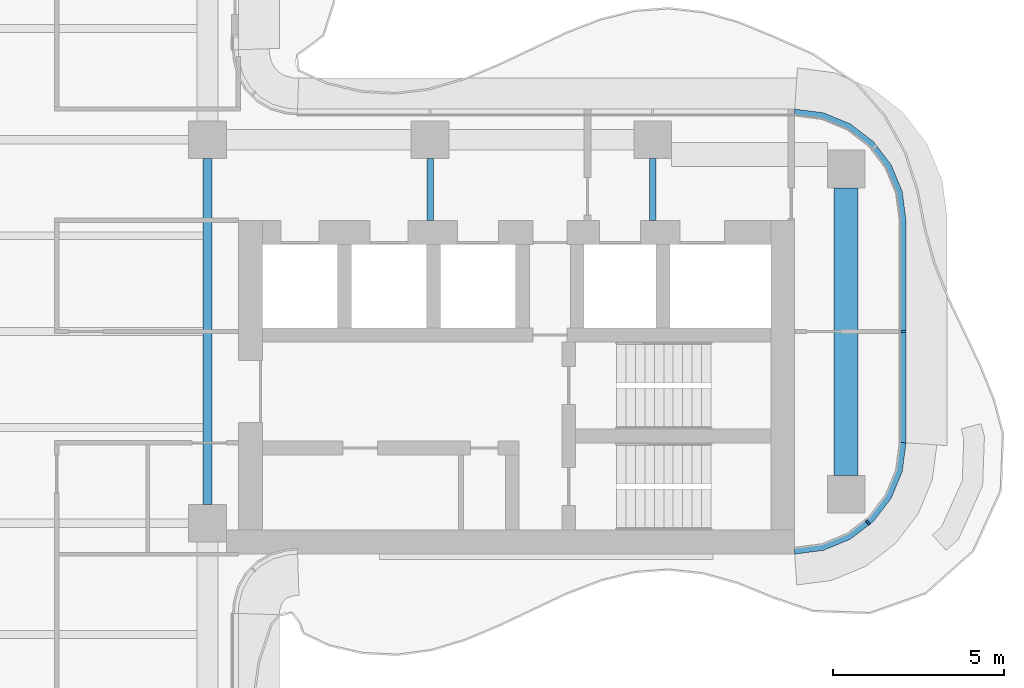
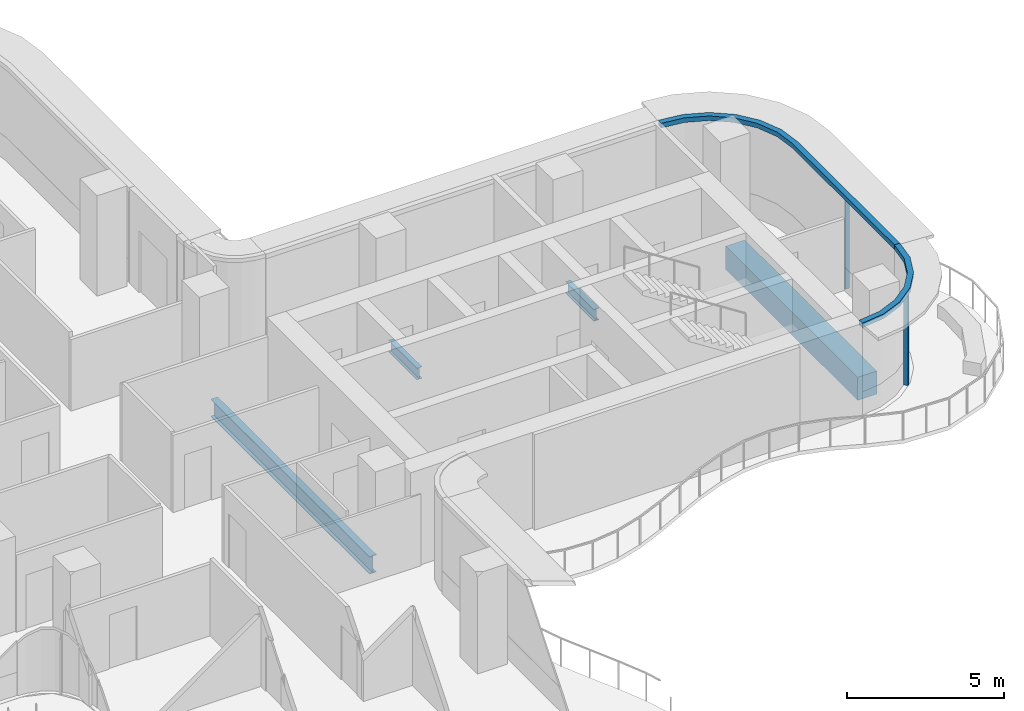
# One storey, part 6 of 19: 4 beams, 4 members, 2 elements without a shape of their own.
"""IFC4 building model written with IfcOpenShell, lengths in metres."""

import ifcopenshell
import ifcopenshell.guid

model = None  # the IFC model being written
_history = None  # IfcOwnerHistory: only IFC2X3 demands one
_inside = {}  # id of a spatial element -> (the spatial element, [elements in it])
_under = {}  # id of a project, library or spatial element -> (it, [spatial elements below it])
_declared = {}  # id of a project -> (the project, [libraries it declares])
_typed = {}  # id of a type object -> (the type object, [elements of that type])
_made_of = {}  # id of a material, layer set ... -> (it, [elements and type objects made of it])


def new_model(schema):
    """Start an empty IFC model of exactly this schema.

    Asked for "IFC4X3", IfcOpenShell would pick the latest addendum, in which some entities
    have other attributes; the version numbers below select the first issue.
    IFC2X3 requires an IfcOwnerHistory on every rooted entity: one is made here for all.
    """
    global model, _history
    if schema == "IFC4X3":
        model = ifcopenshell.file(schema_version=(4, 3, 0, 0))
    else:
        model = ifcopenshell.file(schema=schema)
    _inside.clear()
    _under.clear()
    _declared.clear()
    _typed.clear()
    _made_of.clear()
    _history = None
    if model.schema == "IFC2X3":
        org = make("IfcOrganization", Name="unknown")
        user = make(
            "IfcPersonAndOrganization",
            ThePerson=make("IfcPerson", FamilyName="unknown"),
            TheOrganization=org,
        )
        app = make(
            "IfcApplication",
            ApplicationDeveloper=org,
            Version="unknown",
            ApplicationFullName="unknown",
            ApplicationIdentifier="unknown",
        )
        _history = make(
            "IfcOwnerHistory",
            OwningUser=user,
            OwningApplication=app,
            ChangeAction="ADDED",
            CreationDate=0,
        )
    return model


def make(cls, **values):
    """One entity of the class cls with the attributes given. An attribute that is None is left unset."""
    return model.create_entity(
        cls, **{name: value for name, value in values.items() if value is not None}
    )


def rooted(cls, **values):
    """An entity with a GlobalId (a new one), such as an element, a storey or a relation."""
    return make(cls, GlobalId=ifcopenshell.guid.new(), OwnerHistory=_history, **values)


def si_unit(unit_type, name, prefix=None):
    """IfcSIUnit, for example si_unit("LENGTHUNIT", "METRE", prefix="MILLI")."""
    return make("IfcSIUnit", UnitType=unit_type, Prefix=prefix, Name=name)


def assignment(units):
    """IfcUnitAssignment: the units of a project."""
    return None if units is None else make("IfcUnitAssignment", Units=units)


def point(xyz):
    """IfcCartesianPoint."""
    return None if xyz is None else make("IfcCartesianPoint", Coordinates=xyz)


def direction(xyz):
    """IfcDirection."""
    return None if xyz is None else make("IfcDirection", DirectionRatios=xyz)


def frame(location, z_axis=None, x_axis=None):
    """IfcAxis2Placement3D, a coordinate frame: its origin and axes. An axis left out is left unset."""
    return make(
        "IfcAxis2Placement3D",
        Location=point(location),
        Axis=direction(z_axis),
        RefDirection=direction(x_axis),
    )


def frame_2d(location, x_axis=None):
    """IfcAxis2Placement2D, a coordinate frame in the plane: its origin and x axis."""
    return make(
        "IfcAxis2Placement2D", Location=point(location), RefDirection=direction(x_axis)
    )


def origin():
    """The frame at (0, 0, 0) with its axes left unset."""
    return frame((0.0, 0.0, 0.0))


def origin_2d():
    """The frame at (0, 0) in the plane with its x axis left unset."""
    return frame_2d((0.0, 0.0))


def place(relative_to, where):
    """IfcLocalPlacement: puts the frame where relative to a parent placement (None: the world)."""
    return make(
        "IfcLocalPlacement", PlacementRelTo=relative_to, RelativePlacement=where
    )


def context(
    kind, dimensions, precision=None, world=None, true_north=None, identifier=None
):
    """IfcGeometricRepresentationContext, for example the 3D "Model" context."""
    return make(
        "IfcGeometricRepresentationContext",
        ContextIdentifier=identifier,
        ContextType=kind,
        CoordinateSpaceDimension=dimensions,
        Precision=precision,
        WorldCoordinateSystem=world,
        TrueNorth=true_north,
    )


def subcontext(parent, identifier, kind, view, scale=None):
    """IfcGeometricRepresentationSubContext, for example "Body" below "Model"."""
    return make(
        "IfcGeometricRepresentationSubContext",
        ContextIdentifier=identifier,
        ContextType=kind,
        ParentContext=parent,
        TargetScale=scale,
        TargetView=view,
    )


def project(units=None, contexts=None):
    """IfcProject with its units and contexts."""
    return rooted(
        "IfcProject",
        Name="project",
        RepresentationContexts=contexts,
        UnitsInContext=assignment(units),
    )


def spatial(cls, under=None, at=None, **own):
    """A site, building, storey or space (cls), placed at a placement, below another one or the project."""
    s = rooted(cls, ObjectPlacement=at, **own)
    if under is not None:
        _under.setdefault(under.id(), (under, []))[1].append(s)
    return s


def polyline(points):
    """IfcPolyline through the points."""
    return make("IfcPolyline", Points=[point(p) for p in points])


def profile(cls, at=None, kind="AREA", **sizes):
    """A parametric profile (cls). Its sizes go by their IFC names, for example OverallWidth=200.0."""
    return make(cls, ProfileType=kind, Position=at, **sizes)


def rectangle(**sizes):
    """IfcRectangleProfileDef."""
    return profile("IfcRectangleProfileDef", **sizes)


def i_section(**sizes):
    """IfcIShapeProfileDef."""
    return profile("IfcIShapeProfileDef", **sizes)


def outline(outer, holes=None, kind="AREA"):
    """IfcArbitraryClosedProfileDef: a profile drawn as a closed curve; with holes, ...WithVoids."""
    if holes is None:
        return make("IfcArbitraryClosedProfileDef", ProfileType=kind, OuterCurve=outer)
    return make(
        "IfcArbitraryProfileDefWithVoids",
        ProfileType=kind,
        OuterCurve=outer,
        InnerCurves=holes,
    )


def extrude(swept, where, along, depth):
    """IfcExtrudedAreaSolid: the profile swept, set in the frame where, extruded along a direction by depth."""
    return make(
        "IfcExtrudedAreaSolid",
        SweptArea=swept,
        Position=where,
        ExtrudedDirection=direction(along),
        Depth=depth,
    )


def shape(context_of_items, identifier, shape_type, items):
    """IfcShapeRepresentation: the items that make up one representation, for example the "Body"."""
    return make(
        "IfcShapeRepresentation",
        ContextOfItems=context_of_items,
        RepresentationIdentifier=identifier,
        RepresentationType=shape_type,
        Items=items,
    )


def source(mapping_origin, context_of_items, identifier, shape_type, items):
    """IfcRepresentationMap: a shape defined once, which mapped items show again and again."""
    return make(
        "IfcRepresentationMap",
        MappingOrigin=mapping_origin,
        MappedRepresentation=shape(context_of_items, identifier, shape_type, items),
    )


def transform(
    local_origin,
    x_axis=None,
    y_axis=None,
    z_axis=None,
    scale=None,
    scale2=None,
    scale3=None,
    uniform=True,
):
    """IfcCartesianTransformationOperator3D, or its non-uniform kind. x_axis, y_axis, z_axis: its Axis1, 2, 3."""
    if uniform:
        return make(
            "IfcCartesianTransformationOperator3D",
            Axis1=direction(x_axis),
            Axis2=direction(y_axis),
            LocalOrigin=point(local_origin),
            Scale=scale,
            Axis3=direction(z_axis),
        )
    return make(
        "IfcCartesianTransformationOperator3DnonUniform",
        Axis1=direction(x_axis),
        Axis2=direction(y_axis),
        LocalOrigin=point(local_origin),
        Scale=scale,
        Axis3=direction(z_axis),
        Scale2=scale2,
        Scale3=scale3,
    )


def mapped(mapping_source, mapping_target):
    """IfcMappedItem: shows the shape of a source again, moved by a transform."""
    return make(
        "IfcMappedItem", MappingSource=mapping_source, MappingTarget=mapping_target
    )


def material(Name=None, Category=None):
    """IfcMaterial."""
    return make("IfcMaterial", Name=Name, Category=Category)


def layer(
    of_material, thickness, ventilated=None, Name=None, Category=None, Priority=None
):
    """IfcMaterialLayer: one layer of a wall or slab, of a material (None: an air gap)."""
    return make(
        "IfcMaterialLayer",
        Material=of_material,
        LayerThickness=thickness,
        IsVentilated=ventilated,
        Name=Name,
        Category=Category,
        Priority=Priority,
    )


def layer_set(layers, Name=None):
    """IfcMaterialLayerSet."""
    return make("IfcMaterialLayerSet", MaterialLayers=layers, LayerSetName=Name)


def material_profile(
    of_material, cross_section, Name=None, Category=None, Priority=None
):
    """IfcMaterialProfile: a cross section and its material."""
    return make(
        "IfcMaterialProfile",
        Name=Name,
        Material=of_material,
        Profile=cross_section,
        Priority=Priority,
        Category=Category,
    )


def profile_set(profiles, Name=None, composite=None):
    """IfcMaterialProfileSet."""
    return make(
        "IfcMaterialProfileSet",
        Name=Name,
        MaterialProfiles=profiles,
        CompositeProfile=composite,
    )


def made_of(thing, what):
    """Note that an element or type object is made of a material, layer set ...; save() writes the relation."""
    if what is not None:
        _made_of.setdefault(what.id(), (what, []))[1].append(thing)
    return thing


def type_object(cls, material=None, **own):
    """A type object (cls), such as IfcWallType, which elements share."""
    return made_of(rooted(cls, **own), material)


def element(
    cls,
    number,
    at=None,
    inside=None,
    cuts=None,
    type_object=None,
    material=None,
    context=None,
    identifier="Body",
    shape_type=None,
    held_by="IfcProductDefinitionShape",
    body=None,
    shapes=None,
    **own,
):
    """One element of the class cls, such as IfcWall. Its Tag is "e" and its number.

    at: its placement. inside: the storey or other place that contains it. cuts: it is an
    opening in that element (IfcRelVoidsElement). A single representation is given by context,
    identifier, shape_type and body (its items); several are given by shapes. held_by: the class
    of the entity that holds the representations. save() writes the other relations.
    """
    e = rooted(cls, Tag="e%d" % number, ObjectPlacement=at, **own)
    if body is not None:
        shapes = [shape(context, identifier, shape_type, body)]
    if shapes is not None:
        e.Representation = make(held_by, Representations=shapes)
    if inside is not None:
        _inside.setdefault(inside.id(), (inside, []))[1].append(e)
    if cuts is not None:
        rooted(
            "IfcRelVoidsElement", RelatingBuildingElement=cuts, RelatedOpeningElement=e
        )
    if type_object is not None:
        _typed.setdefault(type_object.id(), (type_object, []))[1].append(e)
    return made_of(e, material)


def aggregate(whole, parts):
    """IfcRelAggregates: a whole, such as a stair, and the parts it consists of."""
    return rooted("IfcRelAggregates", RelatingObject=whole, RelatedObjects=parts)


def save(model, path):
    """Write the relations noted so far, then the file.

    IfcRelAggregates (storeys below a building ...), IfcRelContainedInSpatialStructure (elements
    in a storey), IfcRelDefinesByType, IfcRelAssociatesMaterial and IfcRelDeclares: one each for
    every whole, place, type object, material and project.
    """
    for whole, parts in _under.values():
        aggregate(whole, parts)
    for where, things in _inside.values():
        rooted(
            "IfcRelContainedInSpatialStructure",
            RelatedElements=things,
            RelatingStructure=where,
        )
    for kind, things in _typed.values():
        rooted("IfcRelDefinesByType", RelatedObjects=things, RelatingType=kind)
    for what, things in _made_of.values():
        rooted("IfcRelAssociatesMaterial", RelatedObjects=things, RelatingMaterial=what)
    for by, libraries in _declared.values():
        rooted("IfcRelDeclares", RelatingContext=by, RelatedDefinitions=libraries)
    model.write(path)


model = new_model("IFC4")

# Units and contexts
model_context = context("Model", 3, precision=1e-05, world=origin(), true_north=direction((0.0, 1.0)))
body_context = subcontext(model_context, "Body", "Model", "MODEL_VIEW")
ifc_project = project(units=[si_unit("LENGTHUNIT", "METRE"), si_unit("AREAUNIT", "SQUARE_METRE"), si_unit("VOLUMEUNIT", "CUBIC_METRE"), si_unit("PLANEANGLEUNIT", "RADIAN"), si_unit("MASSUNIT", "GRAM", prefix="KILO")], contexts=[model_context])

# Site, building, storey
site_placement = place(None, origin())
site = spatial("IfcSite", under=ifc_project, at=site_placement, CompositionType="ELEMENT")
building_placement = place(site_placement, origin())
building = spatial("IfcBuilding", under=site, at=building_placement, Name="Trellis Farm Tower", CompositionType="ELEMENT")
storey_placement = place(building_placement, frame((0.0, 0.0, 228.5)))
storey = spatial("IfcBuildingStorey", under=building, at=storey_placement, Name="L50", CompositionType="ELEMENT", Elevation=228.5)

# Beams
ifc_material_1 = material(Name="Steel S355", Category="steel")
ifc_material_profile_1 = material_profile(ifc_material_1, i_section(OverallWidth=0.253662109375, OverallDepth=0.68359375, WebThickness=0.012451171875, FlangeThickness=0.021728515625, FilletRadius=0.01513671875, at=origin_2d()), Name="UB 686x254x140")
ifc_profile_set_1 = profile_set([ifc_material_profile_1], Name="Steel S355")
beam_type_1 = type_object("IfcBeamType", Name="UB 686x254x140", PredefinedType="BEAM", material=ifc_profile_set_1)
shared_shape_1 = source(origin(), body_context, "Body", "SweptSolid", [
    extrude(i_section(OverallWidth=0.253662109375, OverallDepth=0.68359375, WebThickness=0.012451171875, FlangeThickness=0.021728515625, FilletRadius=0.01513671875, at=origin_2d()), origin(), (0.0, 0.0, 1.0), 10.10009765625),
])
beam_1_placement = place(storey_placement, frame((5.60009765625, -5.050048828125, -0.541748046875), z_axis=(0.0, 1.0, 0.0), x_axis=(-1.0, 0.0, 0.0)))
element("IfcBeam", 1, at=beam_1_placement, inside=storey, type_object=beam_type_1, Name="Girder", PredefinedType="BEAM", context=body_context, shape_type="MappedRepresentation", body=[
    mapped(shared_shape_1, transform((0.0, 0.0, 0.0))),
])
ifc_material_profile_2 = material_profile(ifc_material_1, i_section(OverallWidth=0.1904296875, OverallDepth=0.45703125, WebThickness=0.009033203125, FlangeThickness=0.014404296875, FilletRadius=0.01025390625, at=origin_2d()), Name="UB 457x191x74")
ifc_profile_set_2 = profile_set([ifc_material_profile_2], Name="Steel S355")
beam_type_2 = type_object("IfcBeamType", Name="UB 457x191x74", PredefinedType="BEAM", material=ifc_profile_set_2)
shared_shape_2 = source(origin(), body_context, "Body", "SweptSolid", [
    extrude(i_section(OverallWidth=0.1904296875, OverallDepth=0.45703125, WebThickness=0.009033203125, FlangeThickness=0.014404296875, FilletRadius=0.01025390625, at=origin_2d()), origin(), (0.0, 0.0, 1.0), 1.800048828125),
])
for number, where, z_axis, x_axis, name in (
    (2, (12.10009765625, 3.25, -0.428466796875), (0.0, 1.0, 0.0), (-1.0, 0.0, 0.0), "Girder"),
    (3, (18.60009765625, 3.25, -0.428466796875), (0.0, 1.0, 0.0), (-1.0, 0.0, 0.0), "Girder"),
):
    element("IfcBeam", number, at=place(storey_placement, frame(where, z_axis=z_axis, x_axis=x_axis)), inside=storey, type_object=beam_type_2, Name=name, PredefinedType="BEAM", context=body_context, shape_type="MappedRepresentation", body=[
        mapped(shared_shape_2, transform((0.0, 0.0, 0.0))),
    ])
ifc_material_2 = material(Name="Concrete C60/75", Category="concrete")
ifc_material_profile_3 = material_profile(ifc_material_2, rectangle(XDim=0.699951171875, YDim=0.89990234375, at=origin_2d()), Name="RC spandrel beam 700x900 C60/75")
ifc_profile_set_3 = profile_set([ifc_material_profile_3], Name="Concrete C60/75")
beam_type_3 = type_object("IfcBeamType", Name="RC spandrel beam 700x900 C60/75", PredefinedType="SPANDREL", material=ifc_profile_set_3)
shared_shape_3 = source(origin(), body_context, "Body", "SweptSolid", [
    extrude(rectangle(XDim=0.699951171875, YDim=0.89990234375, at=origin_2d()), origin(), (0.0, 0.0, 1.0), 8.39990234375),
])
beam_2_placement = place(storey_placement, frame((24.25, -4.199951171875, -0.64990234375), z_axis=(0.0, 1.0, 0.0), x_axis=(-1.0, 0.0, 0.0)))
element("IfcBeam", 4, at=beam_2_placement, inside=storey, type_object=beam_type_3, Name="Girder", PredefinedType="SPANDREL", context=body_context, shape_type="MappedRepresentation", body=[
    mapped(shared_shape_3, transform((0.0, 0.0, 0.0))),
])

# Curtain wall, member
ifc_material_3 = material(Name="Aluminium and glass curtain wall", Category="aluminium")
ifc_layer_1 = layer(ifc_material_3, 0.18994140625)
ifc_layer_set_1 = layer_set([ifc_layer_1], Name="RIBBON CURTAIN WALL CW1")
curtain_wall_type = type_object("IfcCurtainWallType", Name="RIBBON CURTAIN WALL CW1", PredefinedType="NOTDEFINED", material=ifc_layer_set_1)
placement_1 = place(storey_placement, origin())
curtain_wall_1 = element("IfcCurtainWall", 5, at=placement_1, inside=storey, type_object=curtain_wall_type, Name="CW1 005", PredefinedType="NOTDEFINED")
ifc_material_4 = material(Name="Aluminium extrusion 6063-T6", Category="aluminium")
ifc_material_profile_4 = material_profile(ifc_material_4, rectangle(XDim=0.06005859375, YDim=0.14990234375, at=origin_2d()), Name="MULLION 60x150")
ifc_profile_set_4 = profile_set([ifc_material_profile_4], Name="Aluminium extrusion 6063-T6")
member_type_1 = type_object("IfcMemberType", Name="CW1 MULLION 60x150", PredefinedType="MULLION", material=ifc_profile_set_4)
shared_shape_4 = source(origin(), body_context, "Body", "SweptSolid", [
    extrude(rectangle(XDim=0.06005859375, YDim=0.14990234375, at=origin_2d()), origin(), (0.0, 0.0, 1.0), 3.52001953125),
])
member_1_placement = place(storey_placement, frame((24.885498046875, -5.578369140625, 0.0), z_axis=(0.0, 0.0, 1.0), x_axis=(0.793353340291, 0.608761429009, 0.0)))
member_1 = element("IfcMember", 6, at=member_1_placement, type_object=member_type_1, Name="MU1 005-01", PredefinedType="MULLION", context=body_context, shape_type="MappedRepresentation", body=[
    mapped(shared_shape_4, transform((0.0, 0.0, 0.0))),
])

curtain_wall_2 = element("IfcCurtainWall", 7, at=placement_1, inside=storey, type_object=curtain_wall_type, Name="CW1 006", PredefinedType="NOTDEFINED")
member_2_placement = place(storey_placement, frame((25.925048828125, 0.0, 0.0), z_axis=(0.0, 0.0, 1.0), x_axis=(0.0, 1.0, 0.0)))
member_2 = element("IfcMember", 8, at=member_2_placement, type_object=member_type_1, Name="MU1 006-01", PredefinedType="MULLION", context=body_context, shape_type="MappedRepresentation", body=[
    mapped(shared_shape_4, transform((0.0, 0.0, 0.0))),
])

# Member
ifc_layer_2 = layer(ifc_material_4, 0.199951171875)
ifc_layer_set_2 = layer_set([ifc_layer_2], Name="Aluminium extrusion 6063-T6")
member_type_2 = type_object("IfcMemberType", Name="CW1 TRANSOM 200x180", PredefinedType="USERDEFINED", material=ifc_layer_set_2)
shared_shape_5 = source(origin(), body_context, "Body", "SweptSolid", [
    extrude(outline(polyline([(22.75, -6.5), (23.591064453125, -6.38916015625), (24.375, -6.064697265625), (25.048095703125, -5.548095703125), (25.564697265625, -4.875), (25.88916015625, -4.091064453125), (26.0, -3.25), (25.800048828125, -3.23681640625), (25.6943359375, -4.0390625), (25.389892578125, -4.774169921875), (24.905517578125, -5.405517578125), (24.274169921875, -5.889892578125), (23.5390625, -6.1943359375), (22.73681640625, -6.300048828125), (22.75, -6.5)])), origin(), (0.0, 0.0, 1.0), 0.179931640625),
])
placement_2 = place(storey_placement, frame((0.0, 0.0, 3.52001953125)))
member_3 = element("IfcMember", 9, at=placement_2, type_object=member_type_2, Name="TR1 005", ObjectType="TRANSOM", PredefinedType="USERDEFINED", context=body_context, shape_type="MappedRepresentation", body=[
    mapped(shared_shape_5, transform((0.0, 0.0, 0.0))),
])

aggregate(curtain_wall_1, [member_1, member_3])

shared_shape_6 = source(origin(), body_context, "Body", "SweptSolid", [
    extrude(outline(polyline([(26.0, -3.25), (26.0, 3.25), (25.88916015625, 4.091064453125), (25.564697265625, 4.875), (25.048095703125, 5.548095703125), (24.375, 6.064697265625), (23.591064453125, 6.38916015625), (22.75, 6.5), (22.73681640625, 6.300048828125), (23.5390625, 6.1943359375), (24.274169921875, 5.889892578125), (24.905517578125, 5.405517578125), (25.389892578125, 4.774169921875), (25.6943359375, 4.0390625), (25.800048828125, 3.23681640625), (25.800048828125, -3.23681640625), (26.0, -3.25)])), origin(), (0.0, 0.0, 1.0), 0.179931640625),
])
member_4 = element("IfcMember", 10, at=placement_2, type_object=member_type_2, Name="TR1 006", ObjectType="TRANSOM", PredefinedType="USERDEFINED", context=body_context, shape_type="MappedRepresentation", body=[
    mapped(shared_shape_6, transform((0.0, 0.0, 0.0))),
])

aggregate(curtain_wall_2, [member_2, member_4])

save(model, "model.ifc")
